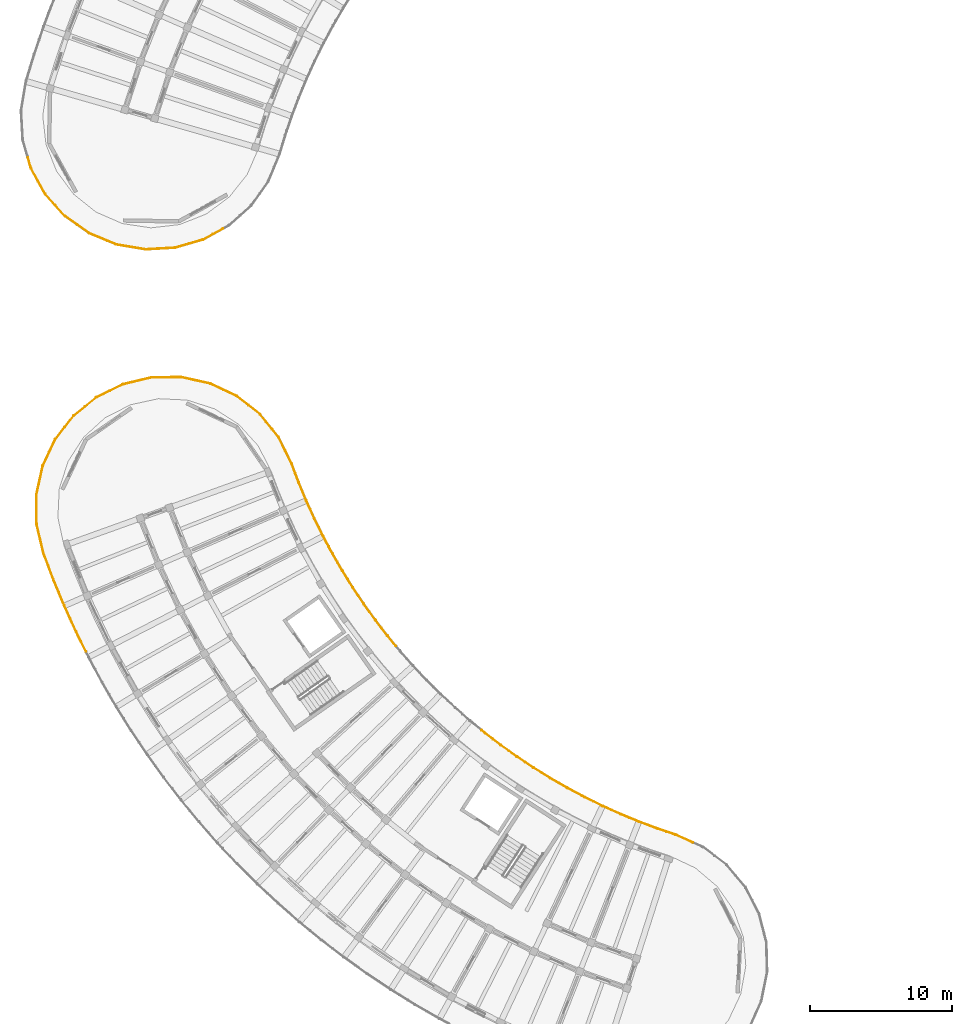
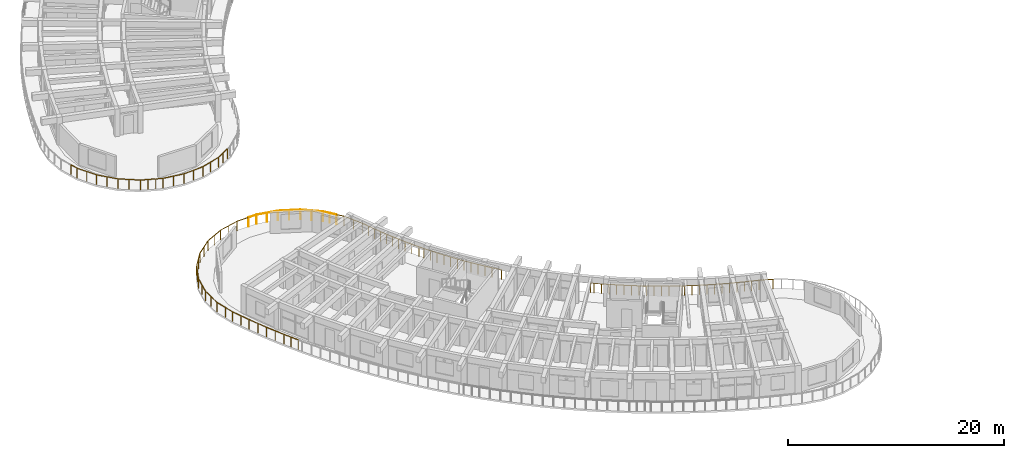
# One storey, part 67 of 83: 11 railings.
"""IFC4 building model written with IfcOpenShell, lengths in metres."""

from ifc_helpers import new_model, si_unit, direction, frame, origin, origin_2d, place, context, subcontext, project, spatial, circle, extrude, material, type_object, element, save


model = new_model("IFC4")

# Units and contexts
model_context = context("Model", 3, precision=1e-05, world=origin(), true_north=direction((0.0, 1.0)))
body_context = subcontext(model_context, "Body", "Model", "MODEL_VIEW")
ifc_project = project(units=[si_unit("LENGTHUNIT", "METRE"), si_unit("AREAUNIT", "SQUARE_METRE"), si_unit("VOLUMEUNIT", "CUBIC_METRE"), si_unit("PLANEANGLEUNIT", "RADIAN"), si_unit("MASSUNIT", "GRAM", prefix="KILO")], contexts=[model_context])

# Site, building, storey
site_placement = place(None, origin())
site = spatial("IfcSite", under=ifc_project, at=site_placement, CompositionType="ELEMENT")
building_placement = place(site_placement, origin())
building = spatial("IfcBuilding", under=site, at=building_placement, Name="Tanwirah Colonnade Gardens", CompositionType="ELEMENT")
storey_placement = place(building_placement, frame((0.0, 0.0, 25.639892578125)))
storey = spatial("IfcBuildingStorey", under=building, at=storey_placement, Name="L07", CompositionType="ELEMENT", Elevation=25.639892578125)

# Railings
ifc_material = material(Name="Precast concrete C40/50", Category="concrete")
railing_type_1 = type_object("IfcRailingType", Name="BAL-EXT110", PredefinedType="BALUSTRADE", material=ifc_material)
railing_1_placement = place(storey_placement, frame((23.909423828125, 51.950439453125, 0.0)))
element("IfcRailing", 1, at=railing_1_placement, inside=storey, type_object=railing_type_1, Name="Block C L07 Balcony Ribbon Balustrade 1", PredefinedType="BALUSTRADE", context=body_context, shape_type="SweptSolid", body=[
    extrude(circle(Radius=0.02392578125, at=origin_2d()), frame((0.013671875, -0.028076171875, 1.076171875), z_axis=(0.441228765944, -0.897394660171, 0.0), x_axis=(0.897394660171, 0.441228765944, 0.0)), (0.0, 0.0, 1.0), 2.029541015625),
    extrude(circle(Radius=0.02392578125, at=origin_2d()), frame((0.93408203125, -1.90673828125, 1.076171875), z_axis=(0.353181976467, -0.93555464378, 0.0), x_axis=(0.93555464378, 0.353181976467, 0.0)), (0.0, 0.0, 1.0), 1.32763671875),
    extrude(circle(Radius=0.02392578125, at=origin_2d()), frame((1.427001953125, -3.209228515625, 1.076171875), z_axis=(0.383707429873, -0.923454713703, 0.0), x_axis=(0.923454713703, 0.383707429873, 0.0)), (0.0, 0.0, 1.0), 1.33154296875),
    extrude(circle(Radius=0.02392578125, at=origin_2d()), frame((1.9638671875, -4.498779296875, 1.076171875), z_axis=(0.413697373423, -0.91041445684, 0.0), x_axis=(0.91041445684, 0.413697373423, 0.0)), (0.0, 0.0, 1.0), 1.331298828125),
    extrude(circle(Radius=0.02392578125, at=origin_2d()), frame((2.542724609375, -5.769775390625, 1.076171875), z_axis=(0.443286097627, -0.896380184771, 0.0), x_axis=(0.896380184771, 0.443286097627, 0.0)), (0.0, 0.0, 1.0), 1.33154296875),
    extrude(circle(Radius=0.02392578125, at=origin_2d()), frame((3.162841796875, -7.021240234375, 1.076171875), z_axis=(0.472475901926, -0.881343589129, 0.0), x_axis=(0.881343589129, 0.472475901926, 0.0)), (0.0, 0.0, 1.0), 0.7626953125),
    extrude(circle(Radius=0.02099609375, at=origin_2d()), origin(), (0.0, 0.0, 1.0), 1.049072265625),
    extrude(circle(Radius=0.02099609375, at=origin_2d()), frame((0.46142578125, -0.938720703125, 0.0)), (0.0, 0.0, 1.0), 1.049072265625),
    extrude(circle(Radius=0.02099609375, at=origin_2d()), frame((0.923095703125, -1.87744140625, 0.0)), (0.0, 0.0, 1.0), 1.049072265625),
    extrude(circle(Radius=0.02099609375, at=origin_2d()), frame((1.16845703125, -2.52783203125, 0.0)), (0.0, 0.0, 1.0), 1.049072265625),
    extrude(circle(Radius=0.02099609375, at=origin_2d()), frame((1.4140625, -3.177978515625, 0.0)), (0.0, 0.0, 1.0), 1.049072265625),
    extrude(circle(Radius=0.02099609375, at=origin_2d()), frame((1.6826171875, -3.82421875, 0.0)), (0.0, 0.0, 1.0), 1.049072265625),
    extrude(circle(Radius=0.02099609375, at=origin_2d()), frame((1.949951171875, -4.4677734375, 0.0)), (0.0, 0.0, 1.0), 1.049072265625),
    extrude(circle(Radius=0.02099609375, at=origin_2d()), frame((2.2392578125, -5.104736328125, 0.0)), (0.0, 0.0, 1.0), 1.049072265625),
    extrude(circle(Radius=0.02099609375, at=origin_2d()), frame((2.527587890625, -5.7392578125, 0.0)), (0.0, 0.0, 1.0), 1.049072265625),
    extrude(circle(Radius=0.02099609375, at=origin_2d()), frame((2.837890625, -6.366455078125, 0.0)), (0.0, 0.0, 1.0), 1.049072265625),
    extrude(circle(Radius=0.02099609375, at=origin_2d()), frame((3.146728515625, -6.9912109375, 0.0)), (0.0, 0.0, 1.0), 1.049072265625),
    extrude(circle(Radius=0.02099609375, at=origin_2d()), frame((3.537841796875, -7.720947265625, 0.0)), (0.0, 0.0, 1.0), 1.049072265625),
])
railing_2_placement = place(storey_placement, frame((27.447265625, 44.2294921875, 0.0)))
element("IfcRailing", 2, at=railing_2_placement, inside=storey, type_object=railing_type_1, Name="Block C L07 Balcony Ribbon Balustrade 2", PredefinedType="BALUSTRADE", context=body_context, shape_type="SweptSolid", body=[
    extrude(circle(Radius=0.02392578125, at=origin_2d()), frame((0.0146484375, -0.027587890625, 1.076171875), z_axis=(0.472102308605, -0.88154376534, 0.0), x_axis=(0.88154376534, 0.472102308605, 0.0)), (0.0, 0.0, 1.0), 0.50634765625),
    extrude(circle(Radius=0.02392578125, at=origin_2d()), frame((0.285400390625, -0.53076171875, 1.076171875), z_axis=(0.501015561301, -0.865438274711, 0.0), x_axis=(0.865438274711, 0.501015561301, 0.0)), (0.0, 0.0, 1.0), 1.33154296875),
    extrude(circle(Radius=0.02392578125, at=origin_2d()), frame((0.986083984375, -1.739013671875, 1.076171875), z_axis=(0.529022666758, -0.848607693847, 0.0), x_axis=(0.848607693847, 0.529022666758, 0.0)), (0.0, 0.0, 1.0), 1.33154296875),
    extrude(circle(Radius=0.02392578125, at=origin_2d()), frame((1.7255859375, -2.923583984375, 1.076171875), z_axis=(0.55655786635, -0.830808847692, 0.0), x_axis=(0.830808847692, 0.55655786635, 0.0)), (0.0, 0.0, 1.0), 1.33154296875),
    extrude(circle(Radius=0.02392578125, at=origin_2d()), frame((2.50390625, -4.08349609375, 1.076171875), z_axis=(0.58342309678, -0.812168387802, 0.0), x_axis=(0.812168387802, 0.58342309678, 0.0)), (0.0, 0.0, 1.0), 1.331298828125),
    extrude(circle(Radius=0.02392578125, at=origin_2d()), frame((3.3193359375, -5.21728515625, 1.076171875), z_axis=(0.609651512095, -0.792669561546, 0.0), x_axis=(0.792669561546, 0.609651512095, 0.0)), (0.0, 0.0, 1.0), 1.33154296875),
    extrude(circle(Radius=0.02392578125, at=origin_2d()), frame((4.171630859375, -6.323486328125, 1.076171875), z_axis=(0.635218373056, -0.77233258285, 0.0), x_axis=(0.77233258285, 0.635218373056, 0.0)), (0.0, 0.0, 1.0), 0.883056640625),
    extrude(circle(Radius=0.02099609375, at=origin_2d()), origin(), (0.0, 0.0, 1.0), 1.049072265625),
    extrude(circle(Radius=0.02099609375, at=origin_2d()), frame((0.2685546875, -0.50146484375, 0.0)), (0.0, 0.0, 1.0), 1.049072265625),
    extrude(circle(Radius=0.02099609375, at=origin_2d()), frame((0.619140625, -1.10693359375, 0.0)), (0.0, 0.0, 1.0), 1.049072265625),
    extrude(circle(Radius=0.02099609375, at=origin_2d()), frame((0.96826171875, -1.710205078125, 0.0)), (0.0, 0.0, 1.0), 1.049072265625),
    extrude(circle(Radius=0.02099609375, at=origin_2d()), frame((1.33837890625, -2.303955078125, 0.0)), (0.0, 0.0, 1.0), 1.049072265625),
    extrude(circle(Radius=0.02099609375, at=origin_2d()), frame((1.70703125, -2.8955078125, 0.0)), (0.0, 0.0, 1.0), 1.049072265625),
    extrude(circle(Radius=0.02099609375, at=origin_2d()), frame((2.09619140625, -3.476806640625, 0.0)), (0.0, 0.0, 1.0), 1.049072265625),
    extrude(circle(Radius=0.02099609375, at=origin_2d()), frame((2.484130859375, -4.055908203125, 0.0)), (0.0, 0.0, 1.0), 1.049072265625),
    extrude(circle(Radius=0.02099609375, at=origin_2d()), frame((2.89208984375, -4.6240234375, 0.0)), (0.0, 0.0, 1.0), 1.049072265625),
    extrude(circle(Radius=0.02099609375, at=origin_2d()), frame((3.298828125, -5.190185546875, 0.0)), (0.0, 0.0, 1.0), 1.049072265625),
    extrude(circle(Radius=0.02099609375, at=origin_2d()), frame((3.72509765625, -5.744873046875, 0.0)), (0.0, 0.0, 1.0), 1.049072265625),
    extrude(circle(Radius=0.02099609375, at=origin_2d()), frame((4.150146484375, -6.29736328125, 0.0)), (0.0, 0.0, 1.0), 1.049072265625),
    extrude(circle(Radius=0.02099609375, at=origin_2d()), frame((4.75244140625, -7.029541015625, 0.0)), (0.0, 0.0, 1.0), 1.049072265625),
])
railing_3_placement = place(storey_placement, frame((38.248779296875, 31.249267578125, 0.0)))
element("IfcRailing", 3, at=railing_3_placement, inside=storey, type_object=railing_type_1, Name="Block C L07 Balcony Ribbon Balustrade 4", PredefinedType="BALUSTRADE", context=body_context, shape_type="SweptSolid", body=[
    extrude(circle(Radius=0.02392578125, at=origin_2d()), frame((0.024169921875, -0.019775390625, 1.076171875), z_axis=(0.773857927086, -0.633359225627, 0.0), x_axis=(0.633359225627, 0.773857927086, 0.0)), (0.0, 0.0, 1.0), 0.265869140625),
    extrude(circle(Radius=0.02392578125, at=origin_2d()), frame((0.28125, -0.228759765625, 1.076171875), z_axis=(0.793969886309, -0.607957087001, 0.0), x_axis=(0.607957087001, 0.793969886309, 0.0)), (0.0, 0.0, 1.0), 1.331298828125),
    extrude(circle(Radius=0.02392578125, at=origin_2d()), frame((1.390625, -1.07666015625, 1.076171875), z_axis=(0.813473063063, -0.581602592558, 0.0), x_axis=(0.581602592558, 0.813473063063, 0.0)), (0.0, 0.0, 1.0), 1.33154296875),
    extrude(circle(Radius=0.02392578125, at=origin_2d()), frame((2.527587890625, -1.88818359375, 1.076171875), z_axis=(0.832077237554, -0.554659779274, 0.0), x_axis=(0.554659779274, 0.832077237554, 0.0)), (0.0, 0.0, 1.0), 1.33154296875),
    extrude(circle(Radius=0.02392578125, at=origin_2d()), frame((3.690185546875, -2.662109375, 1.076171875), z_axis=(0.849764617567, -0.527162303973, 0.0), x_axis=(0.527162303973, 0.849764617567, 0.0)), (0.0, 0.0, 1.0), 1.33154296875),
    extrude(circle(Radius=0.02392578125, at=origin_2d()), frame((4.87744140625, -3.397216796875, 1.076171875), z_axis=(0.866535241782, -0.499115893104, 0.0), x_axis=(0.499115893104, 0.866535241782, 0.0)), (0.0, 0.0, 1.0), 1.33154296875),
    extrude(circle(Radius=0.02392578125, at=origin_2d()), frame((6.08837890625, -4.09326171875, 1.076171875), z_axis=(0.882381441056, -0.470534794122, 0.0), x_axis=(0.470534794122, 0.882381441056, 0.0)), (0.0, 0.0, 1.0), 1.123046875),
    extrude(circle(Radius=0.02099609375, at=origin_2d()), origin(), (0.0, 0.0, 1.0), 1.049072265625),
    extrude(circle(Radius=0.02099609375, at=origin_2d()), frame((0.254150390625, -0.2080078125, 0.0)), (0.0, 0.0, 1.0), 1.049072265625),
    extrude(circle(Radius=0.02099609375, at=origin_2d()), frame((0.8095703125, -0.63330078125, 0.0)), (0.0, 0.0, 1.0), 1.049072265625),
    extrude(circle(Radius=0.02099609375, at=origin_2d()), frame((1.363037109375, -1.05712890625, 0.0)), (0.0, 0.0, 1.0), 1.049072265625),
    extrude(circle(Radius=0.02099609375, at=origin_2d()), frame((1.93212890625, -1.4638671875, 0.0)), (0.0, 0.0, 1.0), 1.049072265625),
    extrude(circle(Radius=0.02099609375, at=origin_2d()), frame((2.499267578125, -1.869384765625, 0.0)), (0.0, 0.0, 1.0), 1.049072265625),
    extrude(circle(Radius=0.02099609375, at=origin_2d()), frame((3.08154296875, -2.25732421875, 0.0)), (0.0, 0.0, 1.0), 1.049072265625),
    extrude(circle(Radius=0.02099609375, at=origin_2d()), frame((3.661376953125, -2.64404296875, 0.0)), (0.0, 0.0, 1.0), 1.049072265625),
    extrude(circle(Radius=0.02099609375, at=origin_2d()), frame((4.255859375, -3.012939453125, 0.0)), (0.0, 0.0, 1.0), 1.049072265625),
    extrude(circle(Radius=0.02099609375, at=origin_2d()), frame((4.84814453125, -3.38037109375, 0.0)), (0.0, 0.0, 1.0), 1.049072265625),
    extrude(circle(Radius=0.02099609375, at=origin_2d()), frame((5.454345703125, -3.7294921875, 0.0)), (0.0, 0.0, 1.0), 1.049072265625),
    extrude(circle(Radius=0.02099609375, at=origin_2d()), frame((6.058349609375, -4.077392578125, 0.0)), (0.0, 0.0, 1.0), 1.049072265625),
    extrude(circle(Radius=0.02099609375, at=origin_2d()), frame((7.10693359375, -4.636474609375, 0.0)), (0.0, 0.0, 1.0), 1.049072265625),
])
railing_4_placement = place(storey_placement, frame((45.355712890625, 26.61279296875, 0.0)))
element("IfcRailing", 4, at=railing_4_placement, inside=storey, type_object=railing_type_1, Name="Block C L07 Balcony Ribbon Balustrade 5", PredefinedType="BALUSTRADE", context=body_context, shape_type="SweptSolid", body=[
    extrude(circle(Radius=0.02392578125, at=origin_2d()), frame((0.027587890625, -0.0146484375, 1.076171875), z_axis=(0.882644800055, -0.470040590733, 0.0), x_axis=(0.470040590733, 0.882644800055, 0.0)), (0.0, 0.0, 1.0), 0.145751953125),
    extrude(circle(Radius=0.02392578125, at=origin_2d()), frame((0.21435546875, -0.113037109375, 1.076171875), z_axis=(0.897349966121, -0.441319655469, 0.0), x_axis=(0.441319655469, 0.897349966121, 0.0)), (0.0, 0.0, 1.0), 1.33154296875),
    extrude(circle(Radius=0.02392578125, at=origin_2d()), frame((1.468017578125, -0.728515625, 1.076171875), z_axis=(0.911383314029, -0.411558568018, 0.0), x_axis=(0.411558568018, 0.911383314029, 0.0)), (0.0, 0.0, 1.0), 1.33154296875),
    extrude(circle(Radius=0.02392578125, at=origin_2d()), frame((2.7412109375, -1.302490234375, 1.076171875), z_axis=(0.924300384608, -0.381665821122, 0.0), x_axis=(0.381665821122, 0.924300384608, 0.0)), (0.0, 0.0, 1.0), 1.331298828125),
    extrude(circle(Radius=0.02392578125, at=origin_2d()), frame((4.032470703125, -1.83447265625, 1.076171875), z_axis=(0.936314781462, -0.351161828813, 0.0), x_axis=(0.351161828813, 0.936314781462, 0.0)), (0.0, 0.0, 1.0), 1.33154296875),
    extrude(circle(Radius=0.02392578125, at=origin_2d()), frame((5.34033203125, -2.323974609375, 1.076171875), z_axis=(0.947251242872, -0.320491938866, 0.0), x_axis=(0.320491938866, 0.947251242872, 0.0)), (0.0, 0.0, 1.0), 1.32763671875),
    extrude(circle(Radius=0.02392578125, at=origin_2d()), frame((6.65625, -2.772216796875, 1.076171875), z_axis=(0.912324852694, -0.409467169816, 0.0), x_axis=(0.409467169816, 0.912324852694, 0.0)), (0.0, 0.0, 1.0), 1.249755859375),
    extrude(circle(Radius=0.02099609375, at=origin_2d()), origin(), (0.0, 0.0, 1.0), 1.049072265625),
    extrude(circle(Radius=0.02099609375, at=origin_2d()), frame((0.183837890625, -0.097900390625, 0.0)), (0.0, 0.0, 1.0), 1.049072265625),
    extrude(circle(Radius=0.02099609375, at=origin_2d()), frame((0.811767578125, -0.40673828125, 0.0)), (0.0, 0.0, 1.0), 1.049072265625),
    extrude(circle(Radius=0.02099609375, at=origin_2d()), frame((1.437255859375, -0.71435546875, 0.0)), (0.0, 0.0, 1.0), 1.049072265625),
    extrude(circle(Radius=0.02099609375, at=origin_2d()), frame((2.07470703125, -1.00244140625, 0.0)), (0.0, 0.0, 1.0), 1.049072265625),
    extrude(circle(Radius=0.02099609375, at=origin_2d()), frame((2.7099609375, -1.289306640625, 0.0)), (0.0, 0.0, 1.0), 1.049072265625),
    extrude(circle(Radius=0.02099609375, at=origin_2d()), frame((3.3564453125, -1.556640625, 0.0)), (0.0, 0.0, 1.0), 1.049072265625),
    extrude(circle(Radius=0.02099609375, at=origin_2d()), frame((4.000732421875, -1.822509765625, 0.0)), (0.0, 0.0, 1.0), 1.049072265625),
    extrude(circle(Radius=0.02099609375, at=origin_2d()), frame((4.65576171875, -2.068359375, 0.0)), (0.0, 0.0, 1.0), 1.049072265625),
    extrude(circle(Radius=0.02099609375, at=origin_2d()), frame((5.308349609375, -2.31298828125, 0.0)), (0.0, 0.0, 1.0), 1.049072265625),
    extrude(circle(Radius=0.02099609375, at=origin_2d()), frame((5.96923828125, -2.53662109375, 0.0)), (0.0, 0.0, 1.0), 1.049072265625),
    extrude(circle(Radius=0.02099609375, at=origin_2d()), frame((6.627685546875, -2.759521484375, 0.0)), (0.0, 0.0, 1.0), 1.049072265625),
    extrude(circle(Radius=0.02099609375, at=origin_2d()), frame((7.824951171875, -3.296875, 0.0)), (0.0, 0.0, 1.0), 1.049072265625),
])
railing_5_placement = place(storey_placement, frame((10.2939453125, 36.810546875, 0.0)))
element("IfcRailing", 5, at=railing_5_placement, inside=storey, type_object=railing_type_1, Name="Block C L07 Balcony Ribbon Balustrade 15", PredefinedType="BALUSTRADE", context=body_context, shape_type="SweptSolid", body=[
    extrude(circle(Radius=0.02392578125, at=origin_2d()), frame((-0.013916015625, 0.028076171875, 1.076171875), z_axis=(-0.44330194469, 0.896372347763, 0.0), x_axis=(-0.896372347763, -0.44330194469, 0.0)), (0.0, 0.0, 1.0), 1.511962890625),
    extrude(circle(Radius=0.02392578125, at=origin_2d()), frame((-0.7109375, 1.43994140625, 1.076171875), z_axis=(-0.413665439989, 0.910428966893, 0.0), x_axis=(-0.910428966893, -0.413665439989, 0.0)), (0.0, 0.0, 1.0), 1.944091796875),
    extrude(circle(Radius=0.02392578125, at=origin_2d()), frame((-1.5400390625, 3.26708984375, 1.076171875), z_axis=(-0.383777149523, 0.923425741196, 0.0), x_axis=(-0.923425741196, -0.383777149523, 0.0)), (0.0, 0.0, 1.0), 1.94384765625),
    extrude(circle(Radius=0.02392578125, at=origin_2d()), frame((-2.30908203125, 5.120361328125, 1.076171875), z_axis=(-0.353246485445, 0.935530288404, 0.0), x_axis=(-0.935530288404, -0.353246485445, 0.0)), (0.0, 0.0, 1.0), 1.9404296875),
    extrude(circle(Radius=0.02392578125, at=origin_2d()), frame((-3.0126953125, 6.995361328125, 1.076171875), z_axis=(-0.230325909869, 0.973113546942, 0.0), x_axis=(-0.973113546942, -0.230325909869, 0.0)), (0.0, 0.0, 1.0), 0.846923828125),
    extrude(circle(Radius=0.02099609375, at=origin_2d()), origin(), (0.0, 0.0, 1.0), 1.049072265625),
    extrude(circle(Radius=0.02099609375, at=origin_2d()), frame((-0.34912109375, 0.70556640625, 0.0)), (0.0, 0.0, 1.0), 1.049072265625),
    extrude(circle(Radius=0.02099609375, at=origin_2d()), frame((-0.697998046875, 1.411376953125, 0.0)), (0.0, 0.0, 1.0), 1.049072265625),
    extrude(circle(Radius=0.02099609375, at=origin_2d()), frame((-1.113037109375, 2.32470703125, 0.0)), (0.0, 0.0, 1.0), 1.049072265625),
    extrude(circle(Radius=0.02099609375, at=origin_2d()), frame((-1.528076171875, 3.23828125, 0.0)), (0.0, 0.0, 1.0), 1.049072265625),
    extrude(circle(Radius=0.02099609375, at=origin_2d()), frame((-1.9130859375, 4.16455078125, 0.0)), (0.0, 0.0, 1.0), 1.049072265625),
    extrude(circle(Radius=0.02099609375, at=origin_2d()), frame((-2.298095703125, 5.091064453125, 0.0)), (0.0, 0.0, 1.0), 1.049072265625),
    extrude(circle(Radius=0.02099609375, at=origin_2d()), frame((-2.65185546875, 6.02783203125, 0.0)), (0.0, 0.0, 1.0), 1.049072265625),
    extrude(circle(Radius=0.02099609375, at=origin_2d()), frame((-3.005615234375, 6.96484375, 0.0)), (0.0, 0.0, 1.0), 1.049072265625),
    extrude(circle(Radius=0.02099609375, at=origin_2d()), frame((-3.215087890625, 7.849853515625, 0.0)), (0.0, 0.0, 1.0), 1.049072265625),
])
railing_6_placement = place(storey_placement, frame((7.078857421875, 44.660400390625, 0.0)))
element("IfcRailing", 6, at=railing_6_placement, inside=storey, type_object=railing_type_1, Name="Block C L07 Balcony Ribbon Balustrade 16", PredefinedType="BALUSTRADE", context=body_context, shape_type="SweptSolid", body=[
    extrude(circle(Radius=0.02392578125, at=origin_2d()), frame((-0.00732421875, 0.030517578125, 1.076171875), z_axis=(-0.230456083396, 0.973082727021, 0.0), x_axis=(-0.973082727021, -0.230456083396, 0.0)), (0.0, 0.0, 1.0), 1.11865234375),
    extrude(circle(Radius=0.02392578125, at=origin_2d()), frame((-0.2724609375, 1.1806640625, 1.076171875), z_axis=(-0.008071800673, 0.999967422486, 0.0), x_axis=(-0.999967422486, -0.008071800673, 0.0)), (0.0, 0.0, 1.0), 2.0244140625),
    extrude(circle(Radius=0.02392578125, at=origin_2d()), frame((-0.282470703125, 3.266845703125, 1.076171875), z_axis=(0.214663162135, 0.976688142051, 0.0), x_axis=(-0.976688142051, 0.214663162135, 0.0)), (0.0, 0.0, 1.0), 2.0244140625),
    extrude(circle(Radius=0.02392578125, at=origin_2d()), frame((0.17236328125, 5.302978515625, 1.076171875), z_axis=(0.426551865932, 0.904463103543, 0.0), x_axis=(-0.904463103543, 0.426551865932, 0.0)), (0.0, 0.0, 1.0), 2.0244140625),
    extrude(circle(Radius=0.02392578125, at=origin_2d()), frame((1.068359375, 7.186767578125, 1.076171875), z_axis=(0.617067093897, 0.78691054233, 0.0), x_axis=(-0.78691054233, 0.617067093897, 0.0)), (0.0, 0.0, 1.0), 0.995361328125),
    extrude(circle(Radius=0.02099609375, at=origin_2d()), origin(), (0.0, 0.0, 1.0), 1.049072265625),
    extrude(circle(Radius=0.02099609375, at=origin_2d()), frame((-0.272216796875, 1.1494140625, 0.0)), (0.0, 0.0, 1.0), 1.049072265625),
    extrude(circle(Radius=0.02099609375, at=origin_2d()), frame((-0.28076171875, 2.19287109375, 0.0)), (0.0, 0.0, 1.0), 1.049072265625),
    extrude(circle(Radius=0.02099609375, at=origin_2d()), frame((-0.2890625, 3.236328125, 0.0)), (0.0, 0.0, 1.0), 1.049072265625),
    extrude(circle(Radius=0.02099609375, at=origin_2d()), frame((-0.06494140625, 4.25537109375, 0.0)), (0.0, 0.0, 1.0), 1.049072265625),
    extrude(circle(Radius=0.02099609375, at=origin_2d()), frame((0.158935546875, 5.274658203125, 0.0)), (0.0, 0.0, 1.0), 1.049072265625),
    extrude(circle(Radius=0.02099609375, at=origin_2d()), frame((0.60400390625, 6.21826171875, 0.0)), (0.0, 0.0, 1.0), 1.049072265625),
    extrude(circle(Radius=0.02099609375, at=origin_2d()), frame((1.049072265625, 7.162109375, 0.0)), (0.0, 0.0, 1.0), 1.049072265625),
    extrude(circle(Radius=0.02099609375, at=origin_2d()), frame((1.701904296875, 7.99462890625, 0.0)), (0.0, 0.0, 1.0), 1.049072265625),
])
railing_7_placement = place(storey_placement, frame((8.78076171875, 52.655029296875, 0.0)))
element("IfcRailing", 7, at=railing_7_placement, inside=storey, type_object=railing_type_1, Name="Block C L07 Balcony Ribbon Balustrade 17", PredefinedType="BALUSTRADE", context=body_context, shape_type="SweptSolid", body=[
    extrude(circle(Radius=0.02392578125, at=origin_2d()), frame((0.019287109375, 0.024658203125, 1.076171875), z_axis=(0.61717162129, 0.786828564475, 0.0), x_axis=(-0.786828564475, 0.61717162129, 0.0)), (0.0, 0.0, 1.0), 0.96630859375),
    extrude(circle(Radius=0.02392578125, at=origin_2d()), frame((0.6591796875, 0.829345703125, 1.076171875), z_axis=(0.776800603337, 0.629746633699, 0.0), x_axis=(-0.629746633699, 0.776800603337, 0.0)), (0.0, 0.0, 1.0), 2.0244140625),
    extrude(circle(Radius=0.02392578125, at=origin_2d()), frame((2.2841796875, 2.1376953125, 1.076171875), z_axis=(0.897378823962, 0.441260973013, 0.0), x_axis=(-0.441260973013, 0.897378823962, 0.0)), (0.0, 0.0, 1.0), 2.0244140625),
    extrude(circle(Radius=0.02392578125, at=origin_2d()), frame((4.159423828125, 3.0517578125, 1.076171875), z_axis=(0.973107897392, 0.230349777586, 0.0), x_axis=(-0.230349777586, 0.973107897392, 0.0)), (0.0, 0.0, 1.0), 2.0244140625),
    extrude(circle(Radius=0.02392578125, at=origin_2d()), frame((6.19091796875, 3.525634765625, 1.076171875), z_axis=(0.999967444007, 0.008069134105, 0.0), x_axis=(-0.008069134105, 0.999967444007, 0.0)), (0.0, 0.0, 1.0), 1.147705078125),
    extrude(circle(Radius=0.02099609375, at=origin_2d()), origin(), (0.0, 0.0, 1.0), 1.049072265625),
    extrude(circle(Radius=0.02099609375, at=origin_2d()), frame((0.635009765625, 0.8095703125, 0.0)), (0.0, 0.0, 1.0), 1.049072265625),
    extrude(circle(Radius=0.02099609375, at=origin_2d()), frame((1.445556640625, 1.466796875, 0.0)), (0.0, 0.0, 1.0), 1.049072265625),
    extrude(circle(Radius=0.02099609375, at=origin_2d()), frame((2.256103515625, 2.123779296875, 0.0)), (0.0, 0.0, 1.0), 1.049072265625),
    extrude(circle(Radius=0.02099609375, at=origin_2d()), frame((3.1923828125, 2.584228515625, 0.0)), (0.0, 0.0, 1.0), 1.049072265625),
    extrude(circle(Radius=0.02099609375, at=origin_2d()), frame((4.12890625, 3.044677734375, 0.0)), (0.0, 0.0, 1.0), 1.049072265625),
    extrude(circle(Radius=0.02099609375, at=origin_2d()), frame((5.144287109375, 3.28515625, 0.0)), (0.0, 0.0, 1.0), 1.049072265625),
    extrude(circle(Radius=0.02099609375, at=origin_2d()), frame((6.15966796875, 3.525390625, 0.0)), (0.0, 0.0, 1.0), 1.049072265625),
    extrude(circle(Radius=0.02099609375, at=origin_2d()), frame((7.369873046875, 3.53515625, 0.0)), (0.0, 0.0, 1.0), 1.049072265625),
])
railing_8_placement = place(storey_placement, frame((16.150634765625, 56.190185546875, 0.0)))
element("IfcRailing", 8, at=railing_8_placement, inside=storey, type_object=railing_type_1, Name="Block C L07 Balcony Ribbon Balustrade 18", PredefinedType="BALUSTRADE", context=body_context, shape_type="SweptSolid", body=[
    extrude(circle(Radius=0.02392578125, at=origin_2d()), frame((0.03125, 0.000244140625, 1.076171875), z_axis=(0.9999673746, 0.008077730881, 0.0), x_axis=(-0.008077730881, 0.9999673746, 0.0)), (0.0, 0.0, 1.0), 0.81396484375),
    extrude(circle(Radius=0.02392578125, at=origin_2d()), frame((0.906982421875, 0.00048828125, 1.076171875), z_axis=(0.976712662752, -0.214551565875, 0.0), x_axis=(0.214551565875, 0.976712662752, 0.0)), (0.0, 0.0, 1.0), 2.0244140625),
    extrude(circle(Radius=0.02392578125, at=origin_2d()), frame((2.943115234375, -0.4541015625, 1.076171875), z_axis=(0.904484386401, -0.426506734715, 0.0), x_axis=(0.426506734715, 0.904484386401, 0.0)), (0.0, 0.0, 1.0), 2.0244140625),
    extrude(circle(Radius=0.02392578125, at=origin_2d()), frame((4.8271484375, -1.35009765625, 1.076171875), z_axis=(0.786813317516, -0.617191059057, 0.0), x_axis=(0.617191059057, 0.786813317516, 0.0)), (0.0, 0.0, 1.0), 2.0244140625),
    extrude(circle(Radius=0.02392578125, at=origin_2d()), frame((6.46435546875, -2.64306640625, 1.076171875), z_axis=(0.629816567495, -0.776743903297, 0.0), x_axis=(0.776743903297, 0.629816567495, 0.0)), (0.0, 0.0, 1.0), 1.300048828125),
    extrude(circle(Radius=0.02099609375, at=origin_2d()), origin(), (0.0, 0.0, 1.0), 1.049072265625),
    extrude(circle(Radius=0.02099609375, at=origin_2d()), frame((0.87646484375, 0.007080078125, 0.0)), (0.0, 0.0, 1.0), 1.049072265625),
    extrude(circle(Radius=0.02099609375, at=origin_2d()), frame((1.8955078125, -0.216796875, 0.0)), (0.0, 0.0, 1.0), 1.049072265625),
    extrude(circle(Radius=0.02099609375, at=origin_2d()), frame((2.914794921875, -0.440673828125, 0.0)), (0.0, 0.0, 1.0), 1.049072265625),
    extrude(circle(Radius=0.02099609375, at=origin_2d()), frame((3.858642578125, -0.8857421875, 0.0)), (0.0, 0.0, 1.0), 1.049072265625),
    extrude(circle(Radius=0.02099609375, at=origin_2d()), frame((4.802490234375, -1.330810546875, 0.0)), (0.0, 0.0, 1.0), 1.049072265625),
    extrude(circle(Radius=0.02099609375, at=origin_2d()), frame((5.62353515625, -1.974853515625, 0.0)), (0.0, 0.0, 1.0), 1.049072265625),
    extrude(circle(Radius=0.02099609375, at=origin_2d()), frame((6.444580078125, -2.618896484375, 0.0)), (0.0, 0.0, 1.0), 1.049072265625),
    extrude(circle(Radius=0.02099609375, at=origin_2d()), frame((6.87353515625, -3.14794921875, 0.0)), (0.0, 0.0, 1.0), 1.049072265625),
    extrude(circle(Radius=0.02099609375, at=origin_2d()), frame((7.302734375, -3.67724609375, 0.0)), (0.0, 0.0, 1.0), 1.049072265625),
])
railing_9_placement = place(storey_placement, frame((23.453369140625, 52.512939453125, 0.0)))
element("IfcRailing", 9, at=railing_9_placement, inside=storey, type_object=railing_type_1, Name="Block C L07 Balcony Ribbon Balustrade 19", PredefinedType="BALUSTRADE", context=body_context, shape_type="SweptSolid", body=[
    extrude(circle(Radius=0.02392578125, at=origin_2d()), frame((0.019775390625, -0.024169921875, 1.076171875), z_axis=(0.629779967462, -0.776773578711, 0.0), x_axis=(0.776773578711, 0.629779967462, 0.0)), (0.0, 0.0, 1.0), 0.66162109375),
    extrude(circle(Radius=0.02099609375, at=origin_2d()), origin(), (0.0, 0.0, 1.0), 1.049072265625),
    extrude(circle(Radius=0.02099609375, at=origin_2d()), frame((0.4560546875, -0.5625, 0.0)), (0.0, 0.0, 1.0), 1.049072265625),
])
railing_type_2 = type_object("IfcRailingType", Name="BAL-EXT112", PredefinedType="BALUSTRADE", material=ifc_material)
railing_10_placement = place(storey_placement, frame((19.978515625, 66.6962890625, 0.0)))
element("IfcRailing", 10, at=railing_10_placement, inside=storey, type_object=railing_type_2, Name="Block A L07 Balcony Ribbon Balustrade 8", PredefinedType="BALUSTRADE", context=body_context, shape_type="SweptSolid", body=[
    extrude(circle(Radius=0.02392578125, at=origin_2d()), frame((-0.02734375, -0.01513671875, 1.09619140625), z_axis=(-0.874621647365, -0.48480611997, 0.0), x_axis=(0.48480611997, -0.874621647365, 0.0)), (0.0, 0.0, 1.0), 1.523193359375),
    extrude(circle(Radius=0.02392578125, at=origin_2d()), frame((-1.4169921875, -0.777587890625, 1.09619140625), z_axis=(-0.960560153031, -0.278072279108, 0.0), x_axis=(0.278072279108, -0.960560153031, 0.0)), (0.0, 0.0, 1.0), 2.0244140625),
    extrude(circle(Radius=0.02392578125, at=origin_2d()), frame((-3.4228515625, -1.350830078125, 1.09619140625), z_axis=(-0.998362374442, -0.057206374631, 0.0), x_axis=(0.057206374631, -0.998362374442, 0.0)), (0.0, 0.0, 1.0), 2.0244140625),
    extrude(circle(Radius=0.02392578125, at=origin_2d()), frame((-5.505859375, -1.46337890625, 1.09619140625), z_axis=(-0.986085511051, 0.166238879013, 0.0), x_axis=(-0.166238879013, -0.986085511051, 0.0)), (0.0, 0.0, 1.0), 2.0244140625),
    extrude(circle(Radius=0.02392578125, at=origin_2d()), frame((-7.561767578125, -1.109619140625, 1.09619140625), z_axis=(-0.924376024919, 0.381482587487, 0.0), x_axis=(-0.381482587487, -0.924376024919, 0.0)), (0.0, 0.0, 1.0), 0.5908203125),
    extrude(circle(Radius=0.02099609375, at=origin_2d()), origin(), (0.0, 0.0, 1.0), 1.069091796875),
    extrude(circle(Radius=0.02099609375, at=origin_2d()), frame((-0.693359375, -0.38427734375, 0.0)), (0.0, 0.0, 1.0), 1.069091796875),
    extrude(circle(Radius=0.02099609375, at=origin_2d()), frame((-1.386962890625, -0.768798828125, 0.0)), (0.0, 0.0, 1.0), 1.069091796875),
    extrude(circle(Radius=0.02099609375, at=origin_2d()), frame((-2.38916015625, -1.05908203125, 0.0)), (0.0, 0.0, 1.0), 1.069091796875),
    extrude(circle(Radius=0.02099609375, at=origin_2d()), frame((-3.3916015625, -1.34912109375, 0.0)), (0.0, 0.0, 1.0), 1.069091796875),
    extrude(circle(Radius=0.02099609375, at=origin_2d()), frame((-4.433349609375, -1.40869140625, 0.0)), (0.0, 0.0, 1.0), 1.069091796875),
    extrude(circle(Radius=0.02099609375, at=origin_2d()), frame((-5.47509765625, -1.468505859375, 0.0)), (0.0, 0.0, 1.0), 1.069091796875),
    extrude(circle(Radius=0.02099609375, at=origin_2d()), frame((-6.50390625, -1.294921875, 0.0)), (0.0, 0.0, 1.0), 1.069091796875),
    extrude(circle(Radius=0.02099609375, at=origin_2d()), frame((-7.532958984375, -1.12158203125, 0.0)), (0.0, 0.0, 1.0), 1.069091796875),
    extrude(circle(Radius=0.02099609375, at=origin_2d()), frame((-8.136962890625, -0.872314453125, 0.0)), (0.0, 0.0, 1.0), 1.069091796875),
])
railing_11_placement = place(storey_placement, frame((11.841552734375, 65.823974609375, 0.0)))
element("IfcRailing", 11, at=railing_11_placement, inside=storey, type_object=railing_type_2, Name="Block A L07 Balcony Ribbon Balustrade 9", PredefinedType="BALUSTRADE", context=body_context, shape_type="SweptSolid", body=[
    extrude(circle(Radius=0.02392578125, at=origin_2d()), frame((-0.02880859375, 0.011962890625, 1.09619140625), z_axis=(-0.924356771704, 0.381529236893, 0.0), x_axis=(-0.381529236893, -0.924356771704, 0.0)), (0.0, 0.0, 1.0), 1.370849609375),
    extrude(circle(Radius=0.02392578125, at=origin_2d()), frame((-1.3505859375, 0.56494140625, 1.09619140625), z_axis=(-0.816286486525, 0.577647272924, 0.0), x_axis=(-0.577647272924, -0.816286486525, 0.0)), (0.0, 0.0, 1.0), 2.0244140625),
    extrude(circle(Radius=0.02392578125, at=origin_2d()), frame((-3.04931640625, 1.775634765625, 1.09619140625), z_axis=(-0.667263194146, 0.744822012119, 0.0), x_axis=(-0.744822012119, -0.667263194146, 0.0)), (0.0, 0.0, 1.0), 2.0244140625),
    extrude(circle(Radius=0.02392578125, at=origin_2d()), frame((-4.436279296875, 3.334228515625, 1.09619140625), z_axis=(-0.484808325403, 0.874620424882, 0.0), x_axis=(-0.874620424882, -0.484808325403, 0.0)), (0.0, 0.0, 1.0), 2.0244140625),
    extrude(circle(Radius=0.02392578125, at=origin_2d()), frame((-5.441650390625, 5.162109375, 1.09619140625), z_axis=(-0.277881479948, 0.960615366888, 0.0), x_axis=(-0.960615366888, -0.277881479948, 0.0)), (0.0, 0.0, 1.0), 0.7431640625),
    extrude(circle(Radius=0.02099609375, at=origin_2d()), origin(), (0.0, 0.0, 1.0), 1.069091796875),
    extrude(circle(Radius=0.02099609375, at=origin_2d()), frame((-0.66259765625, 0.2734375, 0.0)), (0.0, 0.0, 1.0), 1.069091796875),
    extrude(circle(Radius=0.02099609375, at=origin_2d()), frame((-1.324951171875, 0.546875, 0.0)), (0.0, 0.0, 1.0), 1.069091796875),
    extrude(circle(Radius=0.02099609375, at=origin_2d()), frame((-2.1767578125, 1.149658203125, 0.0)), (0.0, 0.0, 1.0), 1.069091796875),
    extrude(circle(Radius=0.02099609375, at=origin_2d()), frame((-3.028564453125, 1.75244140625, 0.0)), (0.0, 0.0, 1.0), 1.069091796875),
    extrude(circle(Radius=0.02099609375, at=origin_2d()), frame((-3.724853515625, 2.52978515625, 0.0)), (0.0, 0.0, 1.0), 1.069091796875),
    extrude(circle(Radius=0.02099609375, at=origin_2d()), frame((-4.421142578125, 3.306884765625, 0.0)), (0.0, 0.0, 1.0), 1.069091796875),
    extrude(circle(Radius=0.02099609375, at=origin_2d()), frame((-4.927001953125, 4.219482421875, 0.0)), (0.0, 0.0, 1.0), 1.069091796875),
    extrude(circle(Radius=0.02099609375, at=origin_2d()), frame((-5.432861328125, 5.132080078125, 0.0)), (0.0, 0.0, 1.0), 1.069091796875),
    extrude(circle(Radius=0.02099609375, at=origin_2d()), frame((-5.65673828125, 5.906005859375, 0.0)), (0.0, 0.0, 1.0), 1.069091796875),
])

save(model, "model.ifc")
